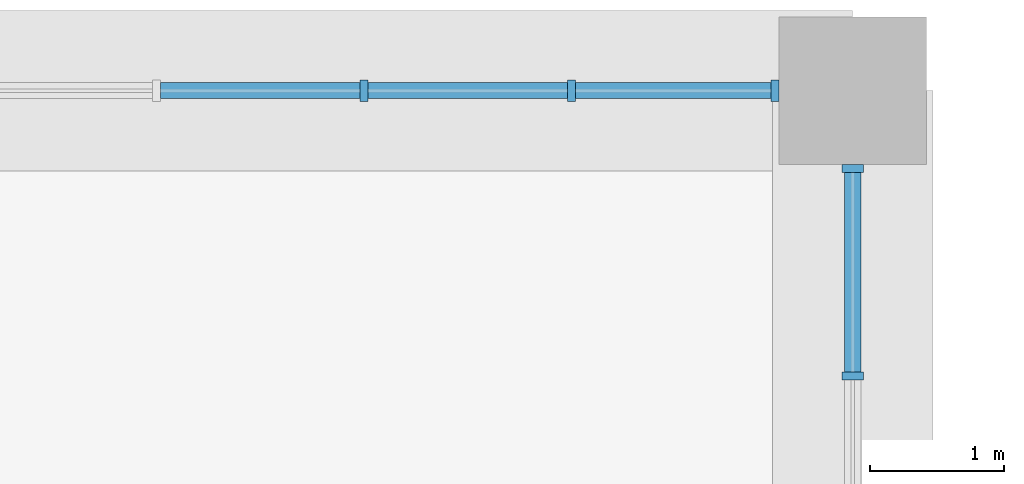
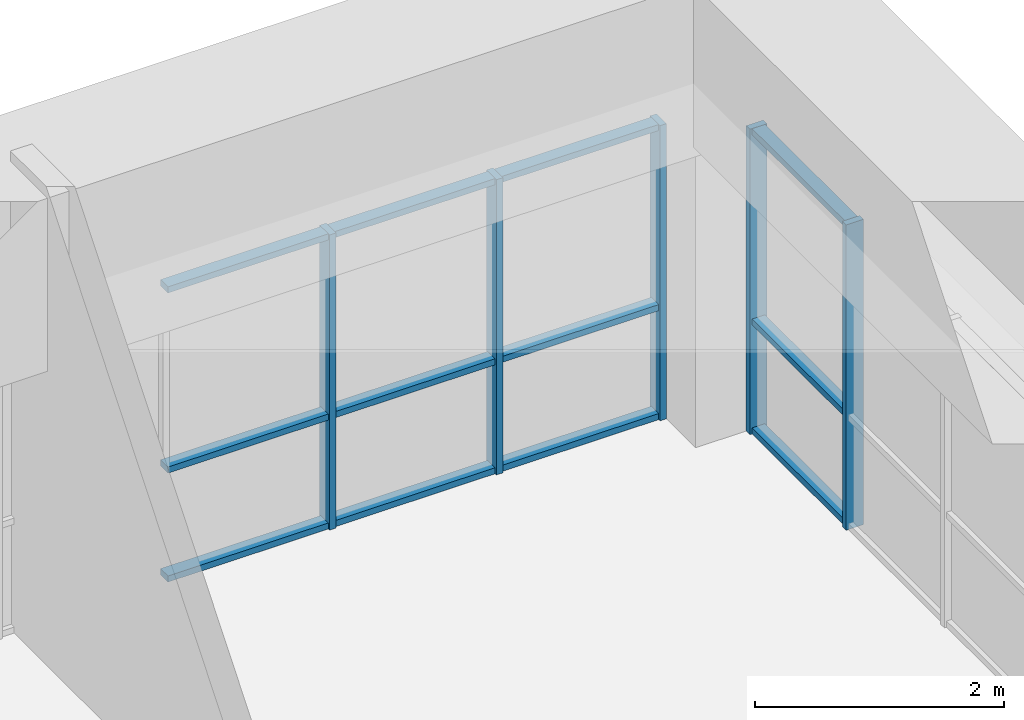
# One storey, part 13 of 22: 17 members, 2 elements without a shape of their own.
"""IFC4 building model written with IfcOpenShell, lengths in metres."""

from ifc_helpers import new_model, si_unit, direction, frame, origin, origin_2d, place, context, subcontext, project, spatial, rectangle, extrude, material, material_profile, profile_set, type_object, element, aggregate, save


model = new_model("IFC4")

# Units and contexts
model_context = context("Model", 3, precision=1e-05, world=origin(), true_north=direction((0.0, 1.0)))
body_context = subcontext(model_context, "Body", "Model", "MODEL_VIEW")
ifc_project = project(units=[si_unit("LENGTHUNIT", "METRE"), si_unit("AREAUNIT", "SQUARE_METRE"), si_unit("VOLUMEUNIT", "CUBIC_METRE"), si_unit("PLANEANGLEUNIT", "RADIAN"), si_unit("MASSUNIT", "GRAM", prefix="KILO")], contexts=[model_context])

# Site, building, storey
site_placement = place(None, origin())
site = spatial("IfcSite", under=ifc_project, at=site_placement, CompositionType="ELEMENT")
building_placement = place(site_placement, origin())
building = spatial("IfcBuilding", under=site, at=building_placement, Name="Kilele Tower Hotel", CompositionType="ELEMENT")
storey_placement = place(building_placement, frame((0.0, 0.0, 19.0)))
storey = spatial("IfcBuildingStorey", under=building, at=storey_placement, Name="L03", CompositionType="ELEMENT", Elevation=19.0)

# Curtain wall, members
ifc_material_1 = material(Name="Aluminium curtain wall, clear double glazing", Category="aluminium")
curtain_wall_type_1 = type_object("IfcCurtainWallType", Name="Podium curtain wall CW-1", PredefinedType="NOTDEFINED", material=ifc_material_1)
curtain_wall_1_placement = place(storey_placement, origin())
curtain_wall_1 = element("IfcCurtainWall", 1, at=curtain_wall_1_placement, inside=storey, type_object=curtain_wall_type_1, Name="Podium curtain wall CW-1 L03", PredefinedType="NOTDEFINED")
ifc_material_2 = material(Name="Aluminium EN AW-6063 T6", Category="aluminium")
ifc_material_profile_1 = material_profile(ifc_material_2, rectangle(XDim=0.159912109375, YDim=0.06005859375, at=origin_2d()))
ifc_profile_set_1 = profile_set([ifc_material_profile_1], Name="Aluminium EN AW-6063 T6")
member_type_1 = type_object("IfcMemberType", Name="Mullion 60x160 CW-1", PredefinedType="MULLION", material=ifc_profile_set_1)
member_1_placement = place(storey_placement, frame((57.919921875, 40.5, 0.0), z_axis=(0.0, 0.0, 1.0), x_axis=(0.0, -1.0, 0.0)))
member_1 = element("IfcMember", 2, at=member_1_placement, type_object=member_type_1, Name="CW-1 mullion 1", PredefinedType="MULLION", context=body_context, shape_type="SweptSolid", body=[
    extrude(rectangle(XDim=0.159912109375, YDim=0.06005859375, at=origin_2d()), origin(), (0.0, 0.0, 1.0), 2.89990234375),
])
member_2_placement = place(storey_placement, frame((56.39990234375, 40.5, 0.0), z_axis=(0.0, 0.0, 1.0), x_axis=(0.0, -1.0, 0.0)))
member_2 = element("IfcMember", 3, at=member_2_placement, type_object=member_type_1, Name="CW-1 mullion 2", PredefinedType="MULLION", context=body_context, shape_type="SweptSolid", body=[
    extrude(rectangle(XDim=0.159912109375, YDim=0.06005859375, at=origin_2d()), origin(), (0.0, 0.0, 1.0), 2.89990234375),
])
member_3_placement = place(storey_placement, frame((54.85009765625, 40.5, 0.0), z_axis=(0.0, 0.0, 1.0), x_axis=(0.0, -1.0, 0.0)))
member_3 = element("IfcMember", 4, at=member_3_placement, type_object=member_type_1, Name="CW-1 mullion 3", PredefinedType="MULLION", context=body_context, shape_type="SweptSolid", body=[
    extrude(rectangle(XDim=0.159912109375, YDim=0.06005859375, at=origin_2d()), origin(), (0.0, 0.0, 1.0), 2.89990234375),
])

ifc_material_3 = material(Name="Aluminium curtain wall, clear double glazing", Category="aluminium")
curtain_wall_type_2 = type_object("IfcCurtainWallType", Name="Podium side curtain wall CW-2", PredefinedType="NOTDEFINED", material=ifc_material_3)
curtain_wall_2_placement = place(storey_placement, origin())
curtain_wall_2 = element("IfcCurtainWall", 5, at=curtain_wall_2_placement, inside=storey, type_object=curtain_wall_type_2, Name="Podium side curtain wall CW-2 L03", PredefinedType="NOTDEFINED")
ifc_material_4 = material(Name="Aluminium EN AW-6063 T6", Category="aluminium")
ifc_material_profile_2 = material_profile(ifc_material_4, rectangle(XDim=0.159912109375, YDim=0.06005859375, at=origin_2d()))
ifc_profile_set_2 = profile_set([ifc_material_profile_2], Name="Aluminium EN AW-6063 T6")
member_type_2 = type_object("IfcMemberType", Name="Mullion 60x160 CW-2", PredefinedType="MULLION", material=ifc_profile_set_2)
member_4_placement = place(storey_placement, frame((58.5, 38.3701171875, 0.0), z_axis=(0.0, 0.0, 1.0), x_axis=(-1.0, 0.0, 0.0)))
member_4 = element("IfcMember", 6, at=member_4_placement, type_object=member_type_2, Name="CW-2 mullion 5", PredefinedType="MULLION", context=body_context, shape_type="SweptSolid", body=[
    extrude(rectangle(XDim=0.159912109375, YDim=0.06005859375, at=origin_2d()), origin(), (0.0, 0.0, 1.0), 3.0),
])
member_5_placement = place(storey_placement, frame((58.5, 39.919921875, 0.0), z_axis=(0.0, 0.0, 1.0), x_axis=(-1.0, 0.0, 0.0)))
member_5 = element("IfcMember", 7, at=member_5_placement, type_object=member_type_2, Name="CW-2 mullion 6", PredefinedType="MULLION", context=body_context, shape_type="SweptSolid", body=[
    extrude(rectangle(XDim=0.159912109375, YDim=0.06005859375, at=origin_2d()), origin(), (0.0, 0.0, 1.0), 3.0),
])

# Member
ifc_material_5 = material(Name="Aluminium EN AW-6063 T6", Category="aluminium")
ifc_material_profile_3 = material_profile(ifc_material_5, rectangle(XDim=0.1201171875, YDim=0.06005859375, at=origin_2d()))
ifc_profile_set_3 = profile_set([ifc_material_profile_3], Name="Aluminium EN AW-6063 T6")
member_type_3 = type_object("IfcMemberType", Name="Transom 60x120 CW-1", PredefinedType="USERDEFINED", material=ifc_profile_set_3)
member_6_placement = place(storey_placement, frame((57.889892578125, 40.5, 0.030029296875), z_axis=(-1.0, 0.0, 0.0), x_axis=(0.0, -1.0, 0.0)))
member_6 = element("IfcMember", 8, at=member_6_placement, type_object=member_type_3, Name="CW-1 transom 1.1", ObjectType="TRANSOM", PredefinedType="USERDEFINED", context=body_context, shape_type="SweptSolid", body=[
    extrude(rectangle(XDim=0.1201171875, YDim=0.06005859375, at=origin_2d()), origin(), (0.0, 0.0, 1.0), 1.4599609375),
])

member_7_placement = place(storey_placement, frame((57.889892578125, 40.5, 1.10009765625), z_axis=(-1.0, 0.0, 0.0), x_axis=(0.0, -1.0, 0.0)))
member_7 = element("IfcMember", 9, at=member_7_placement, type_object=member_type_3, Name="CW-1 transom 1.2", ObjectType="TRANSOM", PredefinedType="USERDEFINED", context=body_context, shape_type="SweptSolid", body=[
    extrude(rectangle(XDim=0.1201171875, YDim=0.06005859375, at=origin_2d()), origin(), (0.0, 0.0, 1.0), 1.4599609375),
])

member_8_placement = place(storey_placement, frame((57.889892578125, 40.5, 2.8701171875), z_axis=(-1.0, 0.0, 0.0), x_axis=(0.0, -1.0, 0.0)))
member_8 = element("IfcMember", 10, at=member_8_placement, type_object=member_type_3, Name="CW-1 transom 1.3", ObjectType="TRANSOM", PredefinedType="USERDEFINED", context=body_context, shape_type="SweptSolid", body=[
    extrude(rectangle(XDim=0.1201171875, YDim=0.06005859375, at=origin_2d()), origin(), (0.0, 0.0, 1.0), 1.4599609375),
])

member_9_placement = place(storey_placement, frame((56.3701171875, 40.5, 0.030029296875), z_axis=(-1.0, 0.0, 0.0), x_axis=(0.0, -1.0, 0.0)))
member_9 = element("IfcMember", 11, at=member_9_placement, type_object=member_type_3, Name="CW-1 transom 2.1", ObjectType="TRANSOM", PredefinedType="USERDEFINED", context=body_context, shape_type="SweptSolid", body=[
    extrude(rectangle(XDim=0.1201171875, YDim=0.06005859375, at=origin_2d()), origin(), (0.0, 0.0, 1.0), 1.490234375),
])

member_10_placement = place(storey_placement, frame((56.3701171875, 40.5, 1.10009765625), z_axis=(-1.0, 0.0, 0.0), x_axis=(0.0, -1.0, 0.0)))
member_10 = element("IfcMember", 12, at=member_10_placement, type_object=member_type_3, Name="CW-1 transom 2.2", ObjectType="TRANSOM", PredefinedType="USERDEFINED", context=body_context, shape_type="SweptSolid", body=[
    extrude(rectangle(XDim=0.1201171875, YDim=0.06005859375, at=origin_2d()), origin(), (0.0, 0.0, 1.0), 1.490234375),
])

member_11_placement = place(storey_placement, frame((56.3701171875, 40.5, 2.8701171875), z_axis=(-1.0, 0.0, 0.0), x_axis=(0.0, -1.0, 0.0)))
member_11 = element("IfcMember", 13, at=member_11_placement, type_object=member_type_3, Name="CW-1 transom 2.3", ObjectType="TRANSOM", PredefinedType="USERDEFINED", context=body_context, shape_type="SweptSolid", body=[
    extrude(rectangle(XDim=0.1201171875, YDim=0.06005859375, at=origin_2d()), origin(), (0.0, 0.0, 1.0), 1.490234375),
])

member_12_placement = place(storey_placement, frame((54.820068359375, 40.5, 0.030029296875), z_axis=(-1.0, 0.0, 0.0), x_axis=(0.0, -1.0, 0.0)))
member_12 = element("IfcMember", 14, at=member_12_placement, type_object=member_type_3, Name="CW-1 transom 3.1", ObjectType="TRANSOM", PredefinedType="USERDEFINED", context=body_context, shape_type="SweptSolid", body=[
    extrude(rectangle(XDim=0.1201171875, YDim=0.06005859375, at=origin_2d()), origin(), (0.0, 0.0, 1.0), 1.489990234375),
])

member_13_placement = place(storey_placement, frame((54.820068359375, 40.5, 1.10009765625), z_axis=(-1.0, 0.0, 0.0), x_axis=(0.0, -1.0, 0.0)))
member_13 = element("IfcMember", 15, at=member_13_placement, type_object=member_type_3, Name="CW-1 transom 3.2", ObjectType="TRANSOM", PredefinedType="USERDEFINED", context=body_context, shape_type="SweptSolid", body=[
    extrude(rectangle(XDim=0.1201171875, YDim=0.06005859375, at=origin_2d()), origin(), (0.0, 0.0, 1.0), 1.489990234375),
])

member_14_placement = place(storey_placement, frame((54.820068359375, 40.5, 2.8701171875), z_axis=(-1.0, 0.0, 0.0), x_axis=(0.0, -1.0, 0.0)))
member_14 = element("IfcMember", 16, at=member_14_placement, type_object=member_type_3, Name="CW-1 transom 3.3", ObjectType="TRANSOM", PredefinedType="USERDEFINED", context=body_context, shape_type="SweptSolid", body=[
    extrude(rectangle(XDim=0.1201171875, YDim=0.06005859375, at=origin_2d()), origin(), (0.0, 0.0, 1.0), 1.489990234375),
])

aggregate(curtain_wall_1, [member_1, member_2, member_3, member_6, member_7, member_8, member_9, member_10, member_11, member_12, member_13, member_14])

ifc_material_6 = material(Name="Aluminium EN AW-6063 T6", Category="aluminium")
ifc_material_profile_4 = material_profile(ifc_material_6, rectangle(XDim=0.1201171875, YDim=0.06005859375, at=origin_2d()))
ifc_profile_set_4 = profile_set([ifc_material_profile_4], Name="Aluminium EN AW-6063 T6")
member_type_4 = type_object("IfcMemberType", Name="Transom 60x120 CW-2", PredefinedType="USERDEFINED", material=ifc_profile_set_4)
member_15_placement = place(storey_placement, frame((58.5, 38.39990234375, 0.030029296875), z_axis=(0.0, 1.0, 0.0), x_axis=(-1.0, 0.0, 0.0)))
member_15 = element("IfcMember", 17, at=member_15_placement, type_object=member_type_4, Name="CW-2 transom 5.1", ObjectType="TRANSOM", PredefinedType="USERDEFINED", context=body_context, shape_type="SweptSolid", body=[
    extrude(rectangle(XDim=0.1201171875, YDim=0.06005859375, at=origin_2d()), origin(), (0.0, 0.0, 1.0), 1.489990234375),
])

member_16_placement = place(storey_placement, frame((58.5, 38.39990234375, 1.10009765625), z_axis=(0.0, 1.0, 0.0), x_axis=(-1.0, 0.0, 0.0)))
member_16 = element("IfcMember", 18, at=member_16_placement, type_object=member_type_4, Name="CW-2 transom 5.2", ObjectType="TRANSOM", PredefinedType="USERDEFINED", context=body_context, shape_type="SweptSolid", body=[
    extrude(rectangle(XDim=0.1201171875, YDim=0.06005859375, at=origin_2d()), origin(), (0.0, 0.0, 1.0), 1.489990234375),
])

member_17_placement = place(storey_placement, frame((58.5, 38.39990234375, 2.969970703125), z_axis=(0.0, 1.0, 0.0), x_axis=(-1.0, 0.0, 0.0)))
member_17 = element("IfcMember", 19, at=member_17_placement, type_object=member_type_4, Name="CW-2 transom 5.3", ObjectType="TRANSOM", PredefinedType="USERDEFINED", context=body_context, shape_type="SweptSolid", body=[
    extrude(rectangle(XDim=0.1201171875, YDim=0.06005859375, at=origin_2d()), origin(), (0.0, 0.0, 1.0), 1.489990234375),
])

aggregate(curtain_wall_2, [member_4, member_5, member_15, member_16, member_17])

save(model, "model.ifc")
